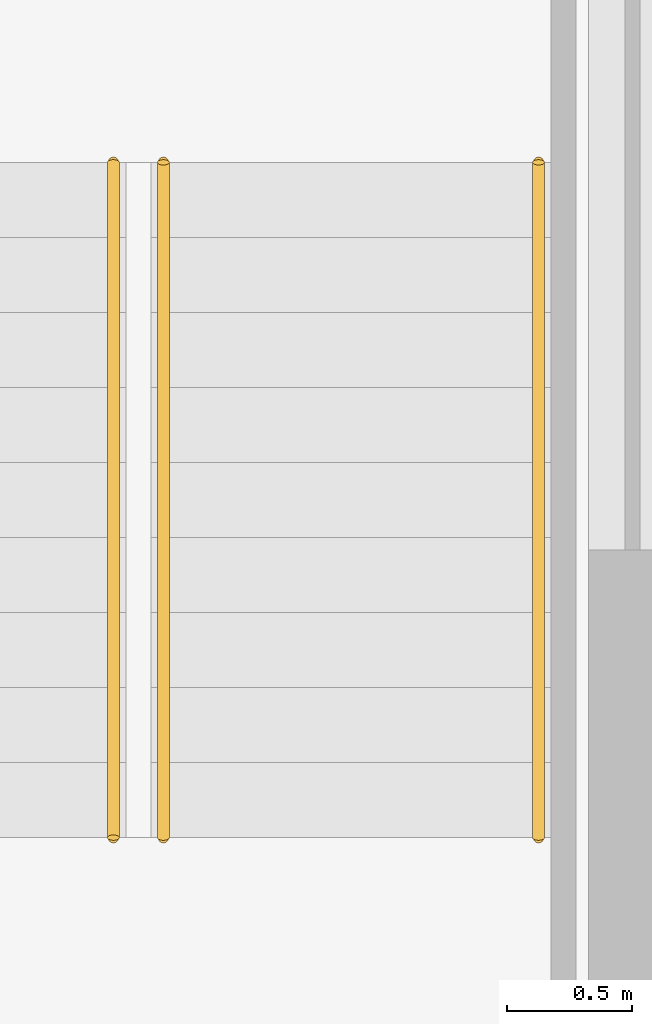
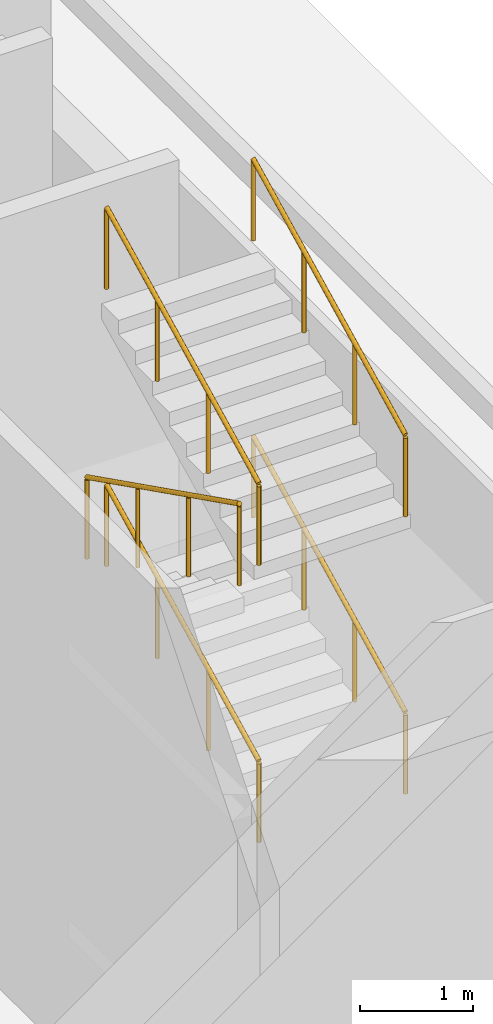
# One storey, part 59 of 59: 5 railings.
"""IFC4 building model written with IfcOpenShell, lengths in metres."""

import ifcopenshell
import ifcopenshell.guid

model = None  # the IFC model being written
_history = None  # IfcOwnerHistory: only IFC2X3 demands one
_inside = {}  # id of a spatial element -> (the spatial element, [elements in it])
_under = {}  # id of a project, library or spatial element -> (it, [spatial elements below it])
_declared = {}  # id of a project -> (the project, [libraries it declares])
_typed = {}  # id of a type object -> (the type object, [elements of that type])
_made_of = {}  # id of a material, layer set ... -> (it, [elements and type objects made of it])


def new_model(schema):
    """Start an empty IFC model of exactly this schema.

    Asked for "IFC4X3", IfcOpenShell would pick the latest addendum, in which some entities
    have other attributes; the version numbers below select the first issue.
    IFC2X3 requires an IfcOwnerHistory on every rooted entity: one is made here for all.
    """
    global model, _history
    if schema == "IFC4X3":
        model = ifcopenshell.file(schema_version=(4, 3, 0, 0))
    else:
        model = ifcopenshell.file(schema=schema)
    _inside.clear()
    _under.clear()
    _declared.clear()
    _typed.clear()
    _made_of.clear()
    _history = None
    if model.schema == "IFC2X3":
        org = make("IfcOrganization", Name="unknown")
        user = make(
            "IfcPersonAndOrganization",
            ThePerson=make("IfcPerson", FamilyName="unknown"),
            TheOrganization=org,
        )
        app = make(
            "IfcApplication",
            ApplicationDeveloper=org,
            Version="unknown",
            ApplicationFullName="unknown",
            ApplicationIdentifier="unknown",
        )
        _history = make(
            "IfcOwnerHistory",
            OwningUser=user,
            OwningApplication=app,
            ChangeAction="ADDED",
            CreationDate=0,
        )
    return model


def make(cls, **values):
    """One entity of the class cls with the attributes given. An attribute that is None is left unset."""
    return model.create_entity(
        cls, **{name: value for name, value in values.items() if value is not None}
    )


def rooted(cls, **values):
    """An entity with a GlobalId (a new one), such as an element, a storey or a relation."""
    return make(cls, GlobalId=ifcopenshell.guid.new(), OwnerHistory=_history, **values)


def si_unit(unit_type, name, prefix=None):
    """IfcSIUnit, for example si_unit("LENGTHUNIT", "METRE", prefix="MILLI")."""
    return make("IfcSIUnit", UnitType=unit_type, Prefix=prefix, Name=name)


def assignment(units):
    """IfcUnitAssignment: the units of a project."""
    return None if units is None else make("IfcUnitAssignment", Units=units)


def point(xyz):
    """IfcCartesianPoint."""
    return None if xyz is None else make("IfcCartesianPoint", Coordinates=xyz)


def direction(xyz):
    """IfcDirection."""
    return None if xyz is None else make("IfcDirection", DirectionRatios=xyz)


def frame(location, z_axis=None, x_axis=None):
    """IfcAxis2Placement3D, a coordinate frame: its origin and axes. An axis left out is left unset."""
    return make(
        "IfcAxis2Placement3D",
        Location=point(location),
        Axis=direction(z_axis),
        RefDirection=direction(x_axis),
    )


def frame_2d(location, x_axis=None):
    """IfcAxis2Placement2D, a coordinate frame in the plane: its origin and x axis."""
    return make(
        "IfcAxis2Placement2D", Location=point(location), RefDirection=direction(x_axis)
    )


def origin():
    """The frame at (0, 0, 0) with its axes left unset."""
    return frame((0.0, 0.0, 0.0))


def origin_2d():
    """The frame at (0, 0) in the plane with its x axis left unset."""
    return frame_2d((0.0, 0.0))


def place(relative_to, where):
    """IfcLocalPlacement: puts the frame where relative to a parent placement (None: the world)."""
    return make(
        "IfcLocalPlacement", PlacementRelTo=relative_to, RelativePlacement=where
    )


def context(
    kind, dimensions, precision=None, world=None, true_north=None, identifier=None
):
    """IfcGeometricRepresentationContext, for example the 3D "Model" context."""
    return make(
        "IfcGeometricRepresentationContext",
        ContextIdentifier=identifier,
        ContextType=kind,
        CoordinateSpaceDimension=dimensions,
        Precision=precision,
        WorldCoordinateSystem=world,
        TrueNorth=true_north,
    )


def subcontext(parent, identifier, kind, view, scale=None):
    """IfcGeometricRepresentationSubContext, for example "Body" below "Model"."""
    return make(
        "IfcGeometricRepresentationSubContext",
        ContextIdentifier=identifier,
        ContextType=kind,
        ParentContext=parent,
        TargetScale=scale,
        TargetView=view,
    )


def project(units=None, contexts=None):
    """IfcProject with its units and contexts."""
    return rooted(
        "IfcProject",
        Name="project",
        RepresentationContexts=contexts,
        UnitsInContext=assignment(units),
    )


def spatial(cls, under=None, at=None, **own):
    """A site, building, storey or space (cls), placed at a placement, below another one or the project."""
    s = rooted(cls, ObjectPlacement=at, **own)
    if under is not None:
        _under.setdefault(under.id(), (under, []))[1].append(s)
    return s


def profile(cls, at=None, kind="AREA", **sizes):
    """A parametric profile (cls). Its sizes go by their IFC names, for example OverallWidth=200.0."""
    return make(cls, ProfileType=kind, Position=at, **sizes)


def circle(**sizes):
    """IfcCircleProfileDef."""
    return profile("IfcCircleProfileDef", **sizes)


def extrude(swept, where, along, depth):
    """IfcExtrudedAreaSolid: the profile swept, set in the frame where, extruded along a direction by depth."""
    return make(
        "IfcExtrudedAreaSolid",
        SweptArea=swept,
        Position=where,
        ExtrudedDirection=direction(along),
        Depth=depth,
    )


def shape(context_of_items, identifier, shape_type, items):
    """IfcShapeRepresentation: the items that make up one representation, for example the "Body"."""
    return make(
        "IfcShapeRepresentation",
        ContextOfItems=context_of_items,
        RepresentationIdentifier=identifier,
        RepresentationType=shape_type,
        Items=items,
    )


def material(Name=None, Category=None):
    """IfcMaterial."""
    return make("IfcMaterial", Name=Name, Category=Category)


def made_of(thing, what):
    """Note that an element or type object is made of a material, layer set ...; save() writes the relation."""
    if what is not None:
        _made_of.setdefault(what.id(), (what, []))[1].append(thing)
    return thing


def type_object(cls, material=None, **own):
    """A type object (cls), such as IfcWallType, which elements share."""
    return made_of(rooted(cls, **own), material)


def element(
    cls,
    number,
    at=None,
    inside=None,
    cuts=None,
    type_object=None,
    material=None,
    context=None,
    identifier="Body",
    shape_type=None,
    held_by="IfcProductDefinitionShape",
    body=None,
    shapes=None,
    **own,
):
    """One element of the class cls, such as IfcWall. Its Tag is "e" and its number.

    at: its placement. inside: the storey or other place that contains it. cuts: it is an
    opening in that element (IfcRelVoidsElement). A single representation is given by context,
    identifier, shape_type and body (its items); several are given by shapes. held_by: the class
    of the entity that holds the representations. save() writes the other relations.
    """
    e = rooted(cls, Tag="e%d" % number, ObjectPlacement=at, **own)
    if body is not None:
        shapes = [shape(context, identifier, shape_type, body)]
    if shapes is not None:
        e.Representation = make(held_by, Representations=shapes)
    if inside is not None:
        _inside.setdefault(inside.id(), (inside, []))[1].append(e)
    if cuts is not None:
        rooted(
            "IfcRelVoidsElement", RelatingBuildingElement=cuts, RelatedOpeningElement=e
        )
    if type_object is not None:
        _typed.setdefault(type_object.id(), (type_object, []))[1].append(e)
    return made_of(e, material)


def aggregate(whole, parts):
    """IfcRelAggregates: a whole, such as a stair, and the parts it consists of."""
    return rooted("IfcRelAggregates", RelatingObject=whole, RelatedObjects=parts)


def save(model, path):
    """Write the relations noted so far, then the file.

    IfcRelAggregates (storeys below a building ...), IfcRelContainedInSpatialStructure (elements
    in a storey), IfcRelDefinesByType, IfcRelAssociatesMaterial and IfcRelDeclares: one each for
    every whole, place, type object, material and project.
    """
    for whole, parts in _under.values():
        aggregate(whole, parts)
    for where, things in _inside.values():
        rooted(
            "IfcRelContainedInSpatialStructure",
            RelatedElements=things,
            RelatingStructure=where,
        )
    for kind, things in _typed.values():
        rooted("IfcRelDefinesByType", RelatedObjects=things, RelatingType=kind)
    for what, things in _made_of.values():
        rooted("IfcRelAssociatesMaterial", RelatedObjects=things, RelatingMaterial=what)
    for by, libraries in _declared.values():
        rooted("IfcRelDeclares", RelatingContext=by, RelatedDefinitions=libraries)
    model.write(path)


model = new_model("IFC4")

# Units and contexts
model_context = context("Model", 3, precision=1e-05, world=origin(), true_north=direction((0.0, 1.0)))
body_context = subcontext(model_context, "Body", "Model", "MODEL_VIEW")
ifc_project = project(units=[si_unit("LENGTHUNIT", "METRE"), si_unit("AREAUNIT", "SQUARE_METRE"), si_unit("VOLUMEUNIT", "CUBIC_METRE"), si_unit("PLANEANGLEUNIT", "RADIAN"), si_unit("MASSUNIT", "GRAM", prefix="KILO")], contexts=[model_context])

# Site, building, storey
site_placement = place(None, origin())
site = spatial("IfcSite", under=ifc_project, at=site_placement, CompositionType="ELEMENT")
building_placement = place(site_placement, origin())
building = spatial("IfcBuilding", under=site, at=building_placement, Name="Lilac Gate Convention Centre", CompositionType="ELEMENT")
storey_placement = place(building_placement, origin())
storey = spatial("IfcBuildingStorey", under=building, at=storey_placement, Name="L00", CompositionType="ELEMENT", Elevation=0.0)

# Railings
ifc_material = material(Name="Stainless steel 304", Category="steel")
railing_type = type_object("IfcRailingType", Name="Stair handrail", PredefinedType="HANDRAIL", material=ifc_material)
for number, where, name in (
    (1, (87.949951171875, 225.39990234375, 1.64990234375), "Handrail SE L00 flight 2"),
    (2, (89.449951171875, 225.39990234375, 1.64990234375), "Handrail SE L00 flight 2"),
):
    element("IfcRailing", number, at=place(storey_placement, frame(where)), inside=storey, type_object=railing_type, Name=name, PredefinedType="HANDRAIL", context=body_context, shape_type="SweptSolid", body=[
        extrude(circle(Radius=0.02392578125, at=origin_2d()), frame((0.0, 0.0, 0.8759765625), z_axis=(0.0, 0.894427191, 0.4472135955), x_axis=(-1.0, 0.0, 0.0)), (0.0, 0.0, 1.0), 3.018798828125),
        extrude(circle(Radius=0.02099609375, at=origin_2d()), origin(), (0.0, 0.0, 1.0), 0.851806640625),
        extrude(circle(Radius=0.02099609375, at=origin_2d()), frame((0.0, 0.900146484375, 0.449951171875)), (0.0, 0.0, 1.0), 0.851806640625),
        extrude(circle(Radius=0.02099609375, at=origin_2d()), frame((0.0, 1.800048828125, 0.900146484375)), (0.0, 0.0, 1.0), 0.851806640625),
        extrude(circle(Radius=0.02099609375, at=origin_2d()), frame((0.0, 2.7001953125, 1.35009765625)), (0.0, 0.0, 1.0), 0.851806640625),
    ])
railing_placement = place(storey_placement, frame((87.75, 228.10009765625, 3.14990234375)))
element("IfcRailing", 3, at=railing_placement, inside=storey, type_object=railing_type, Name="Handrail SE L00 flight 3", PredefinedType="HANDRAIL", context=body_context, shape_type="SweptSolid", body=[
    extrude(circle(Radius=0.02392578125, at=origin_2d()), frame((0.0, 0.0, 0.8759765625), z_axis=(0.0, -0.894427191, 0.4472135955), x_axis=(1.0, 0.0, 0.0)), (0.0, 0.0, 1.0), 3.018798828125),
    extrude(circle(Radius=0.02099609375, at=origin_2d()), origin(), (0.0, 0.0, 1.0), 0.851806640625),
    extrude(circle(Radius=0.02099609375, at=origin_2d()), frame((0.0, -0.900146484375, 0.449951171875)), (0.0, 0.0, 1.0), 0.851806640625),
    extrude(circle(Radius=0.02099609375, at=origin_2d()), frame((0.0, -1.800048828125, 0.900146484375)), (0.0, 0.0, 1.0), 0.851806640625),
    extrude(circle(Radius=0.02099609375, at=origin_2d()), frame((0.0, -2.7001953125, 1.35009765625)), (0.0, 0.0, 1.0), 0.851806640625),
])
for number, where, name in (
    (4, (87.949951171875, 225.39990234375, 4.64990234375), "Handrail SE L00 flight 4"),
    (5, (89.449951171875, 225.39990234375, 4.64990234375), "Handrail SE L00 flight 4"),
):
    element("IfcRailing", number, at=place(storey_placement, frame(where)), inside=storey, type_object=railing_type, Name=name, PredefinedType="HANDRAIL", context=body_context, shape_type="SweptSolid", body=[
        extrude(circle(Radius=0.02392578125, at=origin_2d()), frame((0.0, 0.0, 0.8759765625), z_axis=(0.0, 0.894427191, 0.4472135955), x_axis=(-1.0, 0.0, 0.0)), (0.0, 0.0, 1.0), 3.018798828125),
        extrude(circle(Radius=0.02099609375, at=origin_2d()), origin(), (0.0, 0.0, 1.0), 0.851806640625),
        extrude(circle(Radius=0.02099609375, at=origin_2d()), frame((0.0, 0.900146484375, 0.449951171875)), (0.0, 0.0, 1.0), 0.851806640625),
        extrude(circle(Radius=0.02099609375, at=origin_2d()), frame((0.0, 1.800048828125, 0.900146484375)), (0.0, 0.0, 1.0), 0.851806640625),
        extrude(circle(Radius=0.02099609375, at=origin_2d()), frame((0.0, 2.7001953125, 1.35009765625)), (0.0, 0.0, 1.0), 0.851806640625),
    ])

save(model, "model.ifc")
